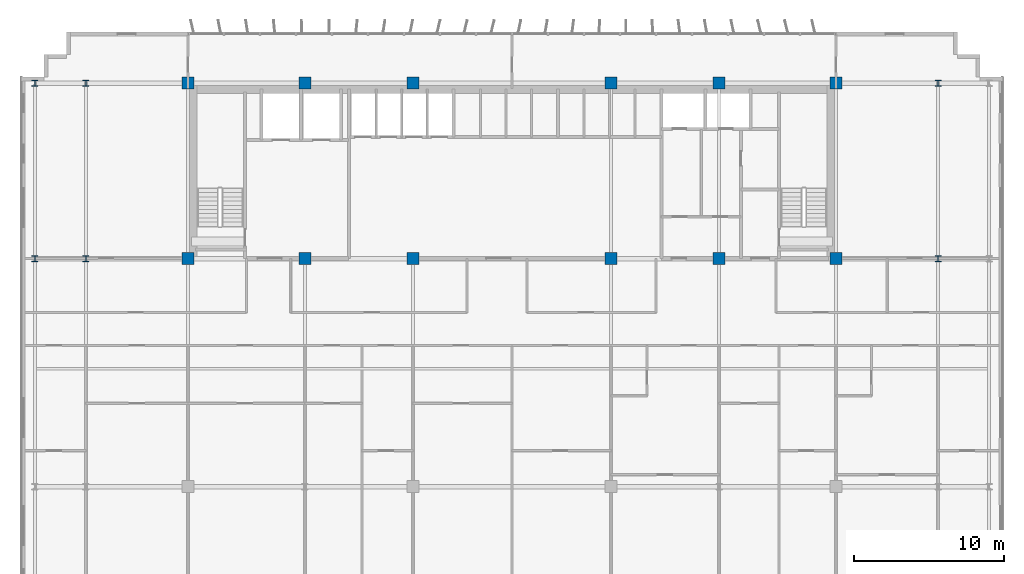
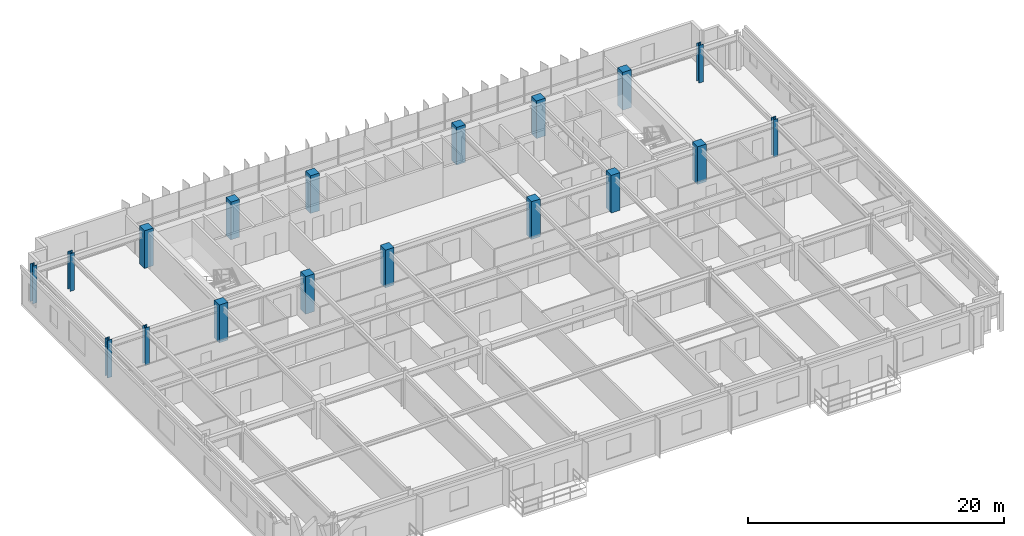
# One storey, part 2 of 21: 18 columns.
"""IFC4 building model written with IfcOpenShell, lengths in metres."""

import ifcopenshell
import ifcopenshell.guid

model = None  # the IFC model being written
_history = None  # IfcOwnerHistory: only IFC2X3 demands one
_inside = {}  # id of a spatial element -> (the spatial element, [elements in it])
_under = {}  # id of a project, library or spatial element -> (it, [spatial elements below it])
_declared = {}  # id of a project -> (the project, [libraries it declares])
_typed = {}  # id of a type object -> (the type object, [elements of that type])
_made_of = {}  # id of a material, layer set ... -> (it, [elements and type objects made of it])


def new_model(schema):
    """Start an empty IFC model of exactly this schema.

    Asked for "IFC4X3", IfcOpenShell would pick the latest addendum, in which some entities
    have other attributes; the version numbers below select the first issue.
    IFC2X3 requires an IfcOwnerHistory on every rooted entity: one is made here for all.
    """
    global model, _history
    if schema == "IFC4X3":
        model = ifcopenshell.file(schema_version=(4, 3, 0, 0))
    else:
        model = ifcopenshell.file(schema=schema)
    _inside.clear()
    _under.clear()
    _declared.clear()
    _typed.clear()
    _made_of.clear()
    _history = None
    if model.schema == "IFC2X3":
        org = make("IfcOrganization", Name="unknown")
        user = make(
            "IfcPersonAndOrganization",
            ThePerson=make("IfcPerson", FamilyName="unknown"),
            TheOrganization=org,
        )
        app = make(
            "IfcApplication",
            ApplicationDeveloper=org,
            Version="unknown",
            ApplicationFullName="unknown",
            ApplicationIdentifier="unknown",
        )
        _history = make(
            "IfcOwnerHistory",
            OwningUser=user,
            OwningApplication=app,
            ChangeAction="ADDED",
            CreationDate=0,
        )
    return model


def make(cls, **values):
    """One entity of the class cls with the attributes given. An attribute that is None is left unset."""
    return model.create_entity(
        cls, **{name: value for name, value in values.items() if value is not None}
    )


def rooted(cls, **values):
    """An entity with a GlobalId (a new one), such as an element, a storey or a relation."""
    return make(cls, GlobalId=ifcopenshell.guid.new(), OwnerHistory=_history, **values)


def si_unit(unit_type, name, prefix=None):
    """IfcSIUnit, for example si_unit("LENGTHUNIT", "METRE", prefix="MILLI")."""
    return make("IfcSIUnit", UnitType=unit_type, Prefix=prefix, Name=name)


def assignment(units):
    """IfcUnitAssignment: the units of a project."""
    return None if units is None else make("IfcUnitAssignment", Units=units)


def point(xyz):
    """IfcCartesianPoint."""
    return None if xyz is None else make("IfcCartesianPoint", Coordinates=xyz)


def direction(xyz):
    """IfcDirection."""
    return None if xyz is None else make("IfcDirection", DirectionRatios=xyz)


def frame(location, z_axis=None, x_axis=None):
    """IfcAxis2Placement3D, a coordinate frame: its origin and axes. An axis left out is left unset."""
    return make(
        "IfcAxis2Placement3D",
        Location=point(location),
        Axis=direction(z_axis),
        RefDirection=direction(x_axis),
    )


def frame_2d(location, x_axis=None):
    """IfcAxis2Placement2D, a coordinate frame in the plane: its origin and x axis."""
    return make(
        "IfcAxis2Placement2D", Location=point(location), RefDirection=direction(x_axis)
    )


def origin():
    """The frame at (0, 0, 0) with its axes left unset."""
    return frame((0.0, 0.0, 0.0))


def origin_2d():
    """The frame at (0, 0) in the plane with its x axis left unset."""
    return frame_2d((0.0, 0.0))


def place(relative_to, where):
    """IfcLocalPlacement: puts the frame where relative to a parent placement (None: the world)."""
    return make(
        "IfcLocalPlacement", PlacementRelTo=relative_to, RelativePlacement=where
    )


def context(
    kind, dimensions, precision=None, world=None, true_north=None, identifier=None
):
    """IfcGeometricRepresentationContext, for example the 3D "Model" context."""
    return make(
        "IfcGeometricRepresentationContext",
        ContextIdentifier=identifier,
        ContextType=kind,
        CoordinateSpaceDimension=dimensions,
        Precision=precision,
        WorldCoordinateSystem=world,
        TrueNorth=true_north,
    )


def subcontext(parent, identifier, kind, view, scale=None):
    """IfcGeometricRepresentationSubContext, for example "Body" below "Model"."""
    return make(
        "IfcGeometricRepresentationSubContext",
        ContextIdentifier=identifier,
        ContextType=kind,
        ParentContext=parent,
        TargetScale=scale,
        TargetView=view,
    )


def project(units=None, contexts=None):
    """IfcProject with its units and contexts."""
    return rooted(
        "IfcProject",
        Name="project",
        RepresentationContexts=contexts,
        UnitsInContext=assignment(units),
    )


def spatial(cls, under=None, at=None, **own):
    """A site, building, storey or space (cls), placed at a placement, below another one or the project."""
    s = rooted(cls, ObjectPlacement=at, **own)
    if under is not None:
        _under.setdefault(under.id(), (under, []))[1].append(s)
    return s


def profile(cls, at=None, kind="AREA", **sizes):
    """A parametric profile (cls). Its sizes go by their IFC names, for example OverallWidth=200.0."""
    return make(cls, ProfileType=kind, Position=at, **sizes)


def rectangle(**sizes):
    """IfcRectangleProfileDef."""
    return profile("IfcRectangleProfileDef", **sizes)


def i_section(**sizes):
    """IfcIShapeProfileDef."""
    return profile("IfcIShapeProfileDef", **sizes)


def extrude(swept, where, along, depth):
    """IfcExtrudedAreaSolid: the profile swept, set in the frame where, extruded along a direction by depth."""
    return make(
        "IfcExtrudedAreaSolid",
        SweptArea=swept,
        Position=where,
        ExtrudedDirection=direction(along),
        Depth=depth,
    )


def shape(context_of_items, identifier, shape_type, items):
    """IfcShapeRepresentation: the items that make up one representation, for example the "Body"."""
    return make(
        "IfcShapeRepresentation",
        ContextOfItems=context_of_items,
        RepresentationIdentifier=identifier,
        RepresentationType=shape_type,
        Items=items,
    )


def source(mapping_origin, context_of_items, identifier, shape_type, items):
    """IfcRepresentationMap: a shape defined once, which mapped items show again and again."""
    return make(
        "IfcRepresentationMap",
        MappingOrigin=mapping_origin,
        MappedRepresentation=shape(context_of_items, identifier, shape_type, items),
    )


def transform(
    local_origin,
    x_axis=None,
    y_axis=None,
    z_axis=None,
    scale=None,
    scale2=None,
    scale3=None,
    uniform=True,
):
    """IfcCartesianTransformationOperator3D, or its non-uniform kind. x_axis, y_axis, z_axis: its Axis1, 2, 3."""
    if uniform:
        return make(
            "IfcCartesianTransformationOperator3D",
            Axis1=direction(x_axis),
            Axis2=direction(y_axis),
            LocalOrigin=point(local_origin),
            Scale=scale,
            Axis3=direction(z_axis),
        )
    return make(
        "IfcCartesianTransformationOperator3DnonUniform",
        Axis1=direction(x_axis),
        Axis2=direction(y_axis),
        LocalOrigin=point(local_origin),
        Scale=scale,
        Axis3=direction(z_axis),
        Scale2=scale2,
        Scale3=scale3,
    )


def mapped(mapping_source, mapping_target):
    """IfcMappedItem: shows the shape of a source again, moved by a transform."""
    return make(
        "IfcMappedItem", MappingSource=mapping_source, MappingTarget=mapping_target
    )


def material(Name=None, Category=None):
    """IfcMaterial."""
    return make("IfcMaterial", Name=Name, Category=Category)


def material_profile(
    of_material, cross_section, Name=None, Category=None, Priority=None
):
    """IfcMaterialProfile: a cross section and its material."""
    return make(
        "IfcMaterialProfile",
        Name=Name,
        Material=of_material,
        Profile=cross_section,
        Priority=Priority,
        Category=Category,
    )


def profile_set(profiles, Name=None, composite=None):
    """IfcMaterialProfileSet."""
    return make(
        "IfcMaterialProfileSet",
        Name=Name,
        MaterialProfiles=profiles,
        CompositeProfile=composite,
    )


def made_of(thing, what):
    """Note that an element or type object is made of a material, layer set ...; save() writes the relation."""
    if what is not None:
        _made_of.setdefault(what.id(), (what, []))[1].append(thing)
    return thing


def type_object(cls, material=None, **own):
    """A type object (cls), such as IfcWallType, which elements share."""
    return made_of(rooted(cls, **own), material)


def element(
    cls,
    number,
    at=None,
    inside=None,
    cuts=None,
    type_object=None,
    material=None,
    context=None,
    identifier="Body",
    shape_type=None,
    held_by="IfcProductDefinitionShape",
    body=None,
    shapes=None,
    **own,
):
    """One element of the class cls, such as IfcWall. Its Tag is "e" and its number.

    at: its placement. inside: the storey or other place that contains it. cuts: it is an
    opening in that element (IfcRelVoidsElement). A single representation is given by context,
    identifier, shape_type and body (its items); several are given by shapes. held_by: the class
    of the entity that holds the representations. save() writes the other relations.
    """
    e = rooted(cls, Tag="e%d" % number, ObjectPlacement=at, **own)
    if body is not None:
        shapes = [shape(context, identifier, shape_type, body)]
    if shapes is not None:
        e.Representation = make(held_by, Representations=shapes)
    if inside is not None:
        _inside.setdefault(inside.id(), (inside, []))[1].append(e)
    if cuts is not None:
        rooted(
            "IfcRelVoidsElement", RelatingBuildingElement=cuts, RelatedOpeningElement=e
        )
    if type_object is not None:
        _typed.setdefault(type_object.id(), (type_object, []))[1].append(e)
    return made_of(e, material)


def aggregate(whole, parts):
    """IfcRelAggregates: a whole, such as a stair, and the parts it consists of."""
    return rooted("IfcRelAggregates", RelatingObject=whole, RelatedObjects=parts)


def save(model, path):
    """Write the relations noted so far, then the file.

    IfcRelAggregates (storeys below a building ...), IfcRelContainedInSpatialStructure (elements
    in a storey), IfcRelDefinesByType, IfcRelAssociatesMaterial and IfcRelDeclares: one each for
    every whole, place, type object, material and project.
    """
    for whole, parts in _under.values():
        aggregate(whole, parts)
    for where, things in _inside.values():
        rooted(
            "IfcRelContainedInSpatialStructure",
            RelatedElements=things,
            RelatingStructure=where,
        )
    for kind, things in _typed.values():
        rooted("IfcRelDefinesByType", RelatedObjects=things, RelatingType=kind)
    for what, things in _made_of.values():
        rooted("IfcRelAssociatesMaterial", RelatedObjects=things, RelatingMaterial=what)
    for by, libraries in _declared.values():
        rooted("IfcRelDeclares", RelatingContext=by, RelatedDefinitions=libraries)
    model.write(path)


model = new_model("IFC4")

# Units and contexts
model_context = context("Model", 3, precision=1e-05, world=origin(), true_north=direction((0.0, 1.0)))
body_context = subcontext(model_context, "Body", "Model", "MODEL_VIEW")
ifc_project = project(units=[si_unit("LENGTHUNIT", "METRE"), si_unit("AREAUNIT", "SQUARE_METRE"), si_unit("VOLUMEUNIT", "CUBIC_METRE"), si_unit("PLANEANGLEUNIT", "RADIAN"), si_unit("MASSUNIT", "GRAM", prefix="KILO")], contexts=[model_context])

# Site, building, storey
site_placement = place(None, origin())
site = spatial("IfcSite", under=ifc_project, at=site_placement, CompositionType="ELEMENT")
building_placement = place(site_placement, origin())
building = spatial("IfcBuilding", under=site, at=building_placement, Name="Trelvane Seafront Commons", CompositionType="ELEMENT")
storey_placement = place(building_placement, frame((0.0, 0.0, 110.5)))
storey = spatial("IfcBuildingStorey", under=building, at=storey_placement, Name="L28", CompositionType="ELEMENT", Elevation=110.5)

# Columns
ifc_material_1 = material(Name="Steel SM355 (S355)", Category="steel")
ifc_material_profile_1 = material_profile(ifc_material_1, i_section(OverallWidth=0.39990234375, OverallDepth=0.39990234375, WebThickness=0.02197265625, FlangeThickness=0.034912109375, at=origin_2d()), Name="HD-400x400x22x35")
ifc_profile_set_1 = profile_set([ifc_material_profile_1], Name="Steel SM355 (S355)")
column_type_1 = type_object("IfcColumnType", Name="STR-COL-HD400", PredefinedType="COLUMN", material=ifc_profile_set_1)
shared_shape_1 = source(origin(), body_context, "Body", "SweptSolid", [
    extrude(i_section(OverallWidth=0.39990234375, OverallDepth=0.39990234375, WebThickness=0.02197265625, FlangeThickness=0.034912109375, at=origin_2d()), origin(), (0.0, 0.0, 1.0), 3.60009765625),
])
for number, where, z_axis, x_axis, name in (
    (1, (5.39990234375, 33.39990234375, 0.0), (0.0, 0.0, 1.0), (1.0, 0.0, 0.0), "L28 Column TC-CS5.4"),
    (2, (5.39990234375, 45.10009765625, 0.0), (0.0, 0.0, 1.0), (1.0, 0.0, 0.0), "L28 Column TC-CN5.4"),
    (3, (8.800048828125, 33.39990234375, 0.0), (0.0, 0.0, 1.0), (1.0, 0.0, 0.0), "L28 Column TC-CS8.8"),
    (4, (8.800048828125, 45.10009765625, 0.0), (0.0, 0.0, 1.0), (1.0, 0.0, 0.0), "L28 Column TC-CN8.8"),
    (5, (65.60009765625, 33.39990234375, 0.0), (0.0, 0.0, 1.0), (1.0, 0.0, 0.0), "L28 Column TC-CS65.6"),
    (6, (65.60009765625, 45.10009765625, 0.0), (0.0, 0.0, 1.0), (1.0, 0.0, 0.0), "L28 Column TC-CN65.6"),
):
    element("IfcColumn", number, at=place(storey_placement, frame(where, z_axis=z_axis, x_axis=x_axis)), inside=storey, type_object=column_type_1, Name=name, PredefinedType="COLUMN", context=body_context, shape_type="MappedRepresentation", body=[
        mapped(shared_shape_1, transform((0.0, 0.0, 0.0), x_axis=(1.0, 0.0, 0.0), y_axis=(0.0, 1.0, 0.0), z_axis=(0.0, 0.0, 1.0), scale=1.0)),
    ])
ifc_material_2 = material(Name="Concrete C60/75", Category="concrete")
ifc_material_profile_2 = material_profile(ifc_material_2, rectangle(XDim=0.800048828125, YDim=0.800048828125, at=origin_2d()), Name="RC-800x800")
ifc_profile_set_2 = profile_set([ifc_material_profile_2], Name="Concrete C60/75")
column_type_2 = type_object("IfcColumnType", Name="STR-COL-RC800", PredefinedType="COLUMN", material=ifc_profile_set_2)
shared_shape_2 = source(origin(), body_context, "Body", "SweptSolid", [
    extrude(rectangle(XDim=0.800048828125, YDim=0.800048828125, at=origin_2d()), origin(), (0.0, 0.0, 1.0), 3.60009765625),
])
for number, where, z_axis, x_axis, name in (
    (7, (15.60009765625, 33.39990234375, 0.0), (0.0, 0.0, 1.0), (1.0, 0.0, 0.0), "L28 Column TC-CS15.6"),
    (8, (15.60009765625, 45.10009765625, 0.0), (0.0, 0.0, 1.0), (1.0, 0.0, 0.0), "L28 Column TC-CN15.6"),
    (9, (23.39990234375, 33.39990234375, 0.0), (0.0, 0.0, 1.0), (1.0, 0.0, 0.0), "L28 Column TC-CS23.4"),
    (10, (23.39990234375, 45.10009765625, 0.0), (0.0, 0.0, 1.0), (1.0, 0.0, 0.0), "L28 Column TC-CN23.4"),
    (11, (30.60009765625, 33.39990234375, 0.0), (0.0, 0.0, 1.0), (1.0, 0.0, 0.0), "L28 Column TC-CS30.6"),
    (12, (30.60009765625, 45.10009765625, 0.0), (0.0, 0.0, 1.0), (1.0, 0.0, 0.0), "L28 Column TC-CN30.6"),
    (13, (43.800048828125, 33.39990234375, 0.0), (0.0, 0.0, 1.0), (1.0, 0.0, 0.0), "L28 Column TC-CS43.8"),
    (14, (43.800048828125, 45.10009765625, 0.0), (0.0, 0.0, 1.0), (1.0, 0.0, 0.0), "L28 Column TC-CN43.8"),
    (15, (51.0, 33.39990234375, 0.0), (0.0, 0.0, 1.0), (1.0, 0.0, 0.0), "L28 Column TC-CS51.0"),
    (16, (51.0, 45.10009765625, 0.0), (0.0, 0.0, 1.0), (1.0, 0.0, 0.0), "L28 Column TC-CN51.0"),
    (17, (58.800048828125, 33.39990234375, 0.0), (0.0, 0.0, 1.0), (1.0, 0.0, 0.0), "L28 Column TC-CS58.8"),
    (18, (58.800048828125, 45.10009765625, 0.0), (0.0, 0.0, 1.0), (1.0, 0.0, 0.0), "L28 Column TC-CN58.8"),
):
    element("IfcColumn", number, at=place(storey_placement, frame(where, z_axis=z_axis, x_axis=x_axis)), inside=storey, type_object=column_type_2, Name=name, PredefinedType="COLUMN", context=body_context, shape_type="MappedRepresentation", body=[
        mapped(shared_shape_2, transform((0.0, 0.0, 0.0), x_axis=(1.0, 0.0, 0.0), y_axis=(0.0, 1.0, 0.0), z_axis=(0.0, 0.0, 1.0), scale=1.0)),
    ])

save(model, "model.ifc")
